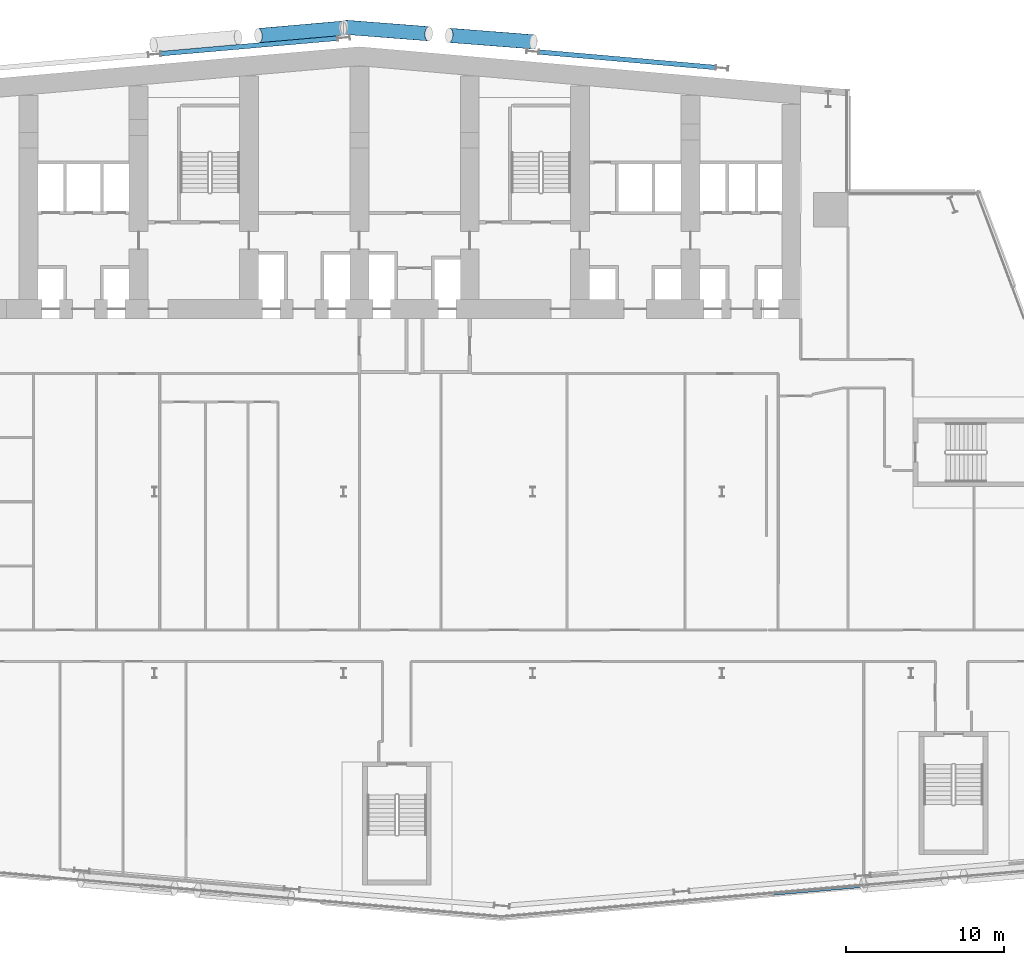
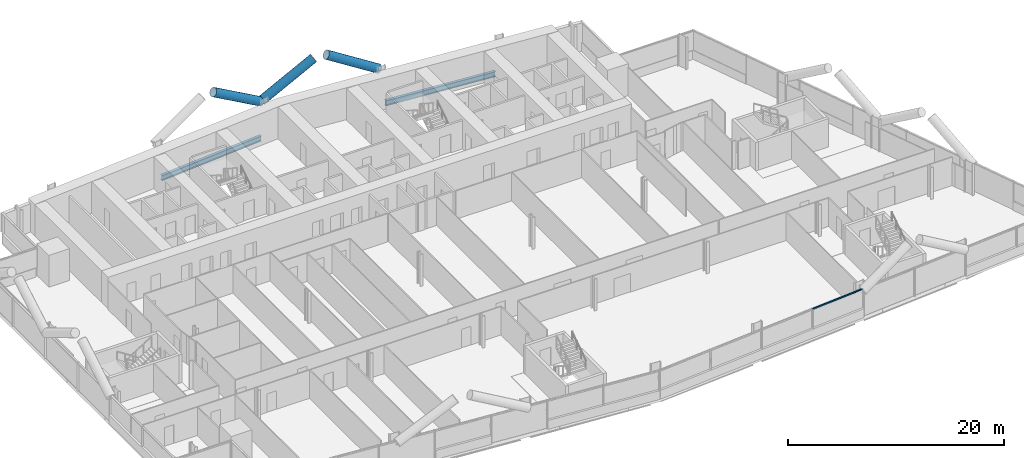
# One storey, part 8 of 27: 4 members, 2 beams, 1 element without a shape of its own.
"""IFC4 building model written with IfcOpenShell, lengths in metres."""

from ifc_helpers import new_model, si_unit, direction, frame, origin, origin_2d, place, context, subcontext, project, spatial, rectangle, hollow_circle, i_section, extrude, material, material_profile, profile_set, type_object, element, aggregate, save


model = new_model("IFC4")

# Units and contexts
model_context = context("Model", 3, precision=1e-05, world=origin(), true_north=direction((0.0, 1.0)))
body_context = subcontext(model_context, "Body", "Model", "MODEL_VIEW")
ifc_project = project(units=[si_unit("LENGTHUNIT", "METRE"), si_unit("AREAUNIT", "SQUARE_METRE"), si_unit("VOLUMEUNIT", "CUBIC_METRE"), si_unit("PLANEANGLEUNIT", "RADIAN"), si_unit("MASSUNIT", "GRAM", prefix="KILO")], contexts=[model_context])

# Site, building, storey
site_placement = place(None, origin())
site = spatial("IfcSite", under=ifc_project, at=site_placement, CompositionType="ELEMENT")
building_placement = place(site_placement, origin())
building = spatial("IfcBuilding", under=site, at=building_placement, Name="Wharfspan Tower", CompositionType="ELEMENT")
storey_placement = place(building_placement, frame((0.0, 0.0, 45.100098)))
storey = spatial("IfcBuildingStorey", under=building, at=storey_placement, Name="L07", CompositionType="ELEMENT", Elevation=45.100098)

# Beams
ifc_material_1 = material(Name="Steel S355J2", Category="steel")
ifc_material_profile_1 = material_profile(ifc_material_1, i_section(OverallWidth=0.300049, OverallDepth=0.600098, WebThickness=0.015381, FlangeThickness=0.030029, FilletRadius=0.0271, at=origin_2d()))
ifc_profile_set_1 = profile_set([ifc_material_profile_1], Name="Steel S355J2")
beam_type = type_object("IfcBeamType", Name="Edge beam HEB 600", PredefinedType="SPANDREL", material=ifc_profile_set_1)
for number, where, z_axis, x_axis, name in (
    (1, (59.598633, 49.919922, -0.700195), (-0.996194, 0.087165, 0.0), (-0.087165, -0.996194, 0.0), "Edge beam N2 L07 R.5 to R.4"),
    (2, (35.598633, 51.774414, -0.700195), (-0.996196, -0.087143, 0.0), (0.087143, -0.996196, 0.0), "Edge beam N1 L07 R.3 to R.2"),
):
    element("IfcBeam", number, at=place(storey_placement, frame(where, z_axis=z_axis, x_axis=x_axis)), inside=storey, type_object=beam_type, Name=name, PredefinedType="SPANDREL", context=body_context, shape_type="SweptSolid", body=[
        extrude(i_section(OverallWidth=0.300049, OverallDepth=0.600098, WebThickness=0.015381, FlangeThickness=0.030029, FilletRadius=0.0271, at=origin_2d()), origin(), (0.0, 0.0, 1.0), 11.23999),
    ])

# Members
ifc_material_2 = material(Name="Steel S460NH", Category="steel")
ifc_material_profile_2 = material_profile(ifc_material_2, hollow_circle(Radius=0.457031, WallThickness=0.040039, at=origin_2d()))
ifc_profile_set_2 = profile_set([ifc_material_profile_2], Name="Steel S460NH")
member_type_1 = type_object("IfcMemberType", Name="Mega brace CHS 914x40", PredefinedType="BRACE", material=ifc_profile_set_2)
member_1_placement = place(storey_placement, frame((35.947266, 52.412842, 2.899902), z_axis=(-0.855094, -0.074809, 0.513048), x_axis=(0.087154, -0.996195, 1e-06)))
element("IfcMember", 3, at=member_1_placement, inside=storey, type_object=member_type_1, Name="Mega brace N7 L08 part 3", PredefinedType="BRACE", context=body_context, shape_type="SweptSolid", body=[
    extrude(hollow_circle(Radius=0.457031, WallThickness=0.040039, at=origin_2d()), origin(), (0.0, 0.0, 1.0), 6.256104),
])
for number, where, z_axis, x_axis, name in (
    (4, (36.048584, 52.476318, 2.899902), (0.85551, -0.066472, 0.513501), (0.077467, 0.996995, -3e-06), "Mega brace N8 L08 part 1"),
    (5, (48.044434, 51.544434, 2.899902), (-0.85551, 0.066472, 0.513501), (-0.077467, -0.996995, -3e-06), "Mega brace N8 L08 part 3"),
):
    element("IfcMember", number, at=place(storey_placement, frame(where, z_axis=z_axis, x_axis=x_axis)), inside=storey, type_object=member_type_1, Name=name, PredefinedType="BRACE", context=body_context, shape_type="SweptSolid", body=[
        extrude(hollow_circle(Radius=0.457031, WallThickness=0.040039, at=origin_2d()), origin(), (0.0, 0.0, 1.0), 6.251221),
    ])

# Curtain wall, member
ifc_material_3 = material(Name="Aluminium 6063-T6", Category="aluminium")
curtain_wall_type = type_object("IfcCurtainWallType", Name="CURTAIN WALL FACETED FRONT", PredefinedType="NOTDEFINED", material=ifc_material_3)
curtain_wall_placement = place(storey_placement, origin())
curtain_wall = element("IfcCurtainWall", 6, at=curtain_wall_placement, inside=storey, type_object=curtain_wall_type, Name="Curtain wall S2", PredefinedType="NOTDEFINED")
ifc_material_profile_3 = material_profile(ifc_material_3, rectangle(XDim=0.159912, YDim=0.080078, at=origin_2d()))
ifc_profile_set_3 = profile_set([ifc_material_profile_3], Name="Aluminium 6063-T6")
member_type_2 = type_object("IfcMemberType", Name="TRANSOM FACETED FRONT 80x160", PredefinedType="USERDEFINED", material=ifc_profile_set_3)
member_2_placement = place(storey_placement, frame((63.279785, -2.512695, 3.159912), z_axis=(0.996195, 0.087148, 0.0), x_axis=(-0.087148, 0.996195, 0.0)))
member_2 = element("IfcMember", 7, at=member_2_placement, type_object=member_type_2, Name="Curtain wall S2 transom 4", ObjectType="TRANSOM", PredefinedType="USERDEFINED", context=body_context, shape_type="SweptSolid", body=[
    extrude(rectangle(XDim=0.159912, YDim=0.080078, at=origin_2d()), origin(), (0.0, 0.0, 1.0), 5.712158),
])
aggregate(curtain_wall, [member_2])

save(model, "model.ifc")
